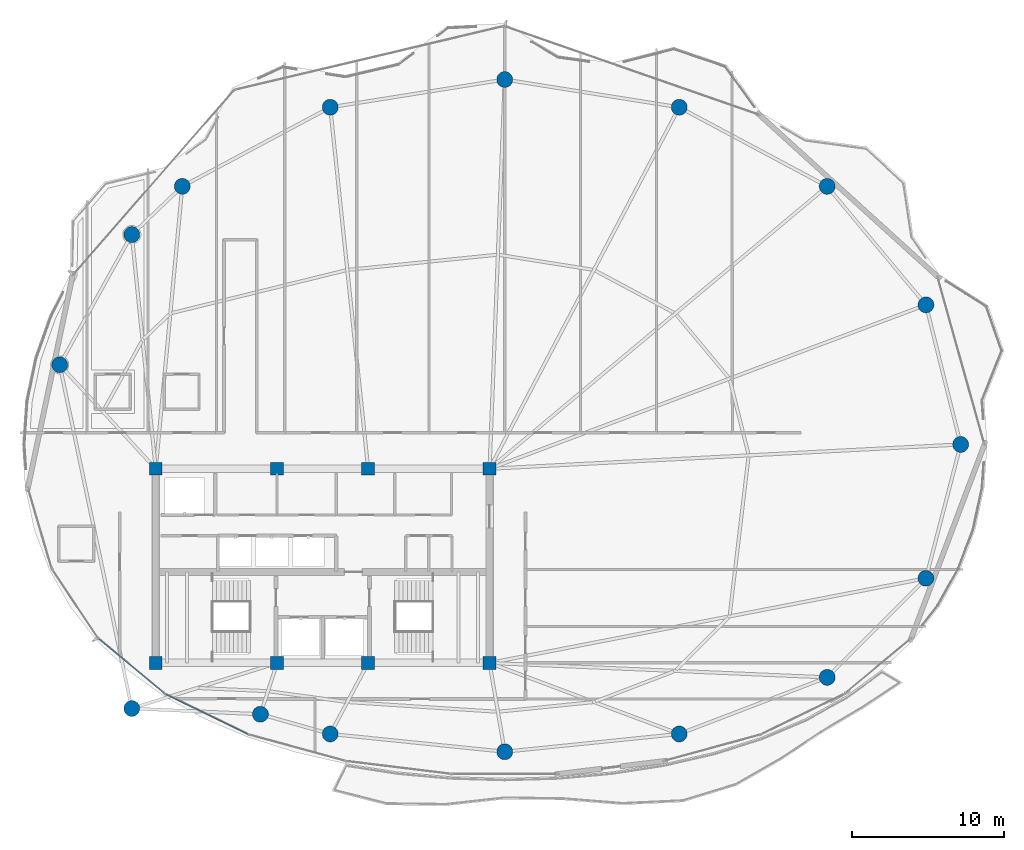
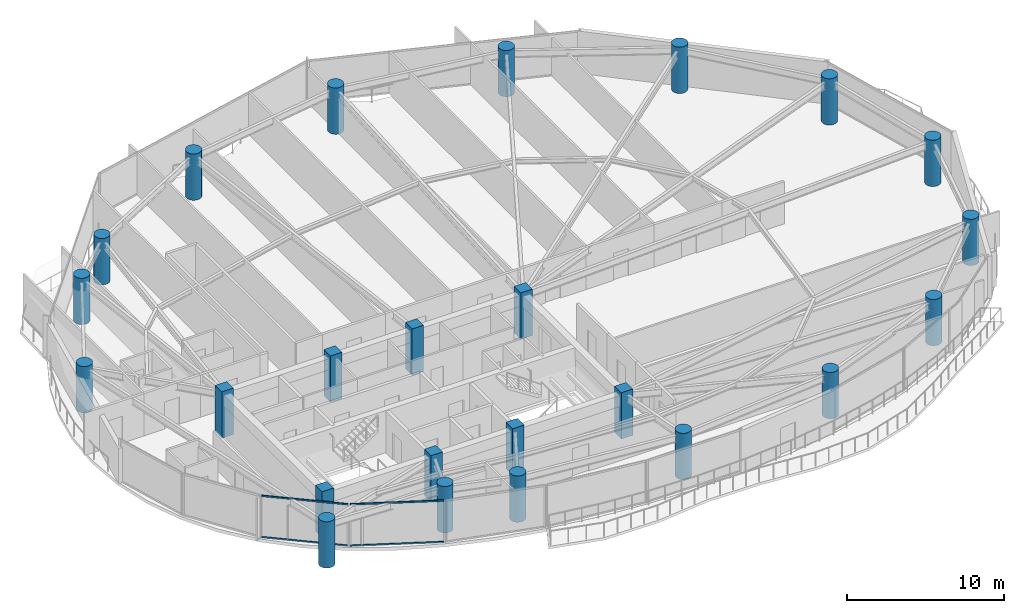
# One storey, part 1 of 29: 24 columns, 4 members, 2 elements without a shape of their own.
"""IFC4 building model written with IfcOpenShell, lengths in metres."""

from ifc_helpers import new_model, si_unit, direction, frame, origin, origin_2d, place, context, subcontext, project, spatial, rectangle, hollow_rectangle, circle, extrude, material, layer, layer_set, material_profile, profile_set, type_object, element, aggregate, save


model = new_model("IFC4")

# Units and contexts
model_context = context("Model", 3, precision=1e-05, world=origin(), true_north=direction((0.0, 1.0)))
body_context = subcontext(model_context, "Body", "Model", "MODEL_VIEW")
ifc_project = project(units=[si_unit("LENGTHUNIT", "METRE"), si_unit("AREAUNIT", "SQUARE_METRE"), si_unit("VOLUMEUNIT", "CUBIC_METRE"), si_unit("PLANEANGLEUNIT", "RADIAN"), si_unit("MASSUNIT", "GRAM", prefix="KILO")], contexts=[model_context])

# Site, building, storey
site_placement = place(None, origin())
site = spatial("IfcSite", under=ifc_project, at=site_placement, CompositionType="ELEMENT")
building_placement = place(site_placement, origin())
building = spatial("IfcBuilding", under=site, at=building_placement, Name="Kazevale Care Tower and Concert Hall", CompositionType="ELEMENT")
storey_placement = place(building_placement, frame((0.0, 0.0, 249.60009765625)))
storey = spatial("IfcBuildingStorey", under=building, at=storey_placement, Name="L66", CompositionType="ELEMENT", Elevation=249.60009765625)

# Columns
ifc_material_1 = material(Name="Concrete C50", Category="concrete")
ifc_material_profile_1 = material_profile(ifc_material_1, rectangle(XDim=0.85009765625, YDim=0.85009765625, at=origin_2d()), Name="RC-SQ850")
ifc_profile_set_1 = profile_set([ifc_material_profile_1], Name="Concrete C50")
column_type_1 = type_object("IfcColumnType", Name="Core Column SQ850 C50", PredefinedType="COLUMN", material=ifc_profile_set_1)
for number, where, z_axis, x_axis, name in (
    (1, (22.0, 23.60009765625, 0.0), (0.0, 0.0, 1.0), (1.0, 0.0, 0.0), "col:L66:CC-01"),
    (2, (30.0, 23.60009765625, 0.0), (0.0, 0.0, 1.0), (1.0, 0.0, 0.0), "col:L66:CC-02"),
    (3, (36.0, 23.60009765625, 0.0), (0.0, 0.0, 1.0), (1.0, 0.0, 0.0), "col:L66:CC-03"),
    (4, (44.0, 23.60009765625, 0.0), (0.0, 0.0, 1.0), (1.0, 0.0, 0.0), "col:L66:CC-04"),
    (5, (44.0, 36.39990234375, 0.0), (0.0, 0.0, 1.0), (1.0, 0.0, 0.0), "col:L66:CC-05"),
    (6, (36.0, 36.39990234375, 0.0), (0.0, 0.0, 1.0), (1.0, 0.0, 0.0), "col:L66:CC-06"),
    (7, (30.0, 36.39990234375, 0.0), (0.0, 0.0, 1.0), (1.0, 0.0, 0.0), "col:L66:CC-07"),
    (8, (22.0, 36.39990234375, 0.0), (0.0, 0.0, 1.0), (1.0, 0.0, 0.0), "col:L66:CC-08"),
):
    element("IfcColumn", number, at=place(storey_placement, frame(where, z_axis=z_axis, x_axis=x_axis)), inside=storey, type_object=column_type_1, Name=name, PredefinedType="COLUMN", context=body_context, shape_type="SweptSolid", body=[
        extrude(rectangle(XDim=0.85009765625, YDim=0.85009765625, at=origin_2d()), origin(), (0.0, 0.0, 1.0), 3.599853515625),
    ])
ifc_material_profile_2 = material_profile(ifc_material_1, circle(Radius=0.52490234375, at=origin_2d()), Name="RC-CIR1050")
ifc_profile_set_2 = profile_set([ifc_material_profile_2], Name="Concrete C50")
column_type_2 = type_object("IfcColumnType", Name="Perimeter Column CIR1050 C50", PredefinedType="COLUMN", material=ifc_profile_set_2)
for number, where, z_axis, x_axis, name in (
    (9, (75.050048828125, 38.0, 0.0), (0.0, 0.0, 1.0), (1.0, 0.0, 0.0), "col:L66:PC-01"),
    (10, (72.760009765625, 47.199951171875, 0.0), (0.0, 0.0, 1.0), (1.0, 0.0, 0.0), "col:L66:PC-02"),
    (11, (66.25, 55.010009765625, 0.0), (0.0, 0.0, 1.0), (1.0, 0.0, 0.0), "col:L66:PC-03"),
    (12, (56.5, 60.219970703125, 0.0), (0.0, 0.0, 1.0), (1.0, 0.0, 0.0), "col:L66:PC-04"),
    (13, (45.0, 62.050048828125, 0.0), (0.0, 0.0, 1.0), (1.0, 0.0, 0.0), "col:L66:PC-05"),
    (14, (33.5, 60.219970703125, 0.0), (0.0, 0.0, 1.0), (1.0, 0.0, 0.0), "col:L66:PC-06"),
    (15, (23.75, 55.010009765625, 0.0), (0.0, 0.0, 1.0), (1.0, 0.0, 0.0), "col:L66:PC-07"),
    (16, (20.419921875, 51.830078125, 0.0), (0.0, 0.0, 1.0), (1.0, 0.0, 0.0), "col:L66:PC-08"),
    (17, (15.669921875, 43.25, 0.0), (0.0, 0.0, 1.0), (1.0, 0.0, 0.0), "col:L66:PC-09"),
    (18, (20.419921875, 20.60009765625, 0.0), (0.0, 0.0, 1.0), (1.0, 0.0, 0.0), "col:L66:PC-10"),
    (19, (28.89990234375, 20.219970703125, 0.0), (0.0, 0.0, 1.0), (1.0, 0.0, 0.0), "col:L66:PC-11"),
    (20, (33.5, 18.919921875, 0.0), (0.0, 0.0, 1.0), (1.0, 0.0, 0.0), "col:L66:PC-12"),
    (21, (45.0, 17.75, 0.0), (0.0, 0.0, 1.0), (1.0, 0.0, 0.0), "col:L66:PC-13"),
    (22, (56.5, 18.919921875, 0.0), (0.0, 0.0, 1.0), (1.0, 0.0, 0.0), "col:L66:PC-14"),
    (23, (66.25, 22.64990234375, 0.0), (0.0, 0.0, 1.0), (1.0, 0.0, 0.0), "col:L66:PC-15"),
    (24, (72.760009765625, 29.179931640625, 0.0), (0.0, 0.0, 1.0), (1.0, 0.0, 0.0), "col:L66:PC-16"),
):
    element("IfcColumn", number, at=place(storey_placement, frame(where, z_axis=z_axis, x_axis=x_axis)), inside=storey, type_object=column_type_2, Name=name, PredefinedType="COLUMN", context=body_context, shape_type="SweptSolid", body=[
        extrude(circle(Radius=0.52490234375, at=origin_2d()), origin(), (0.0, 0.0, 1.0), 3.599853515625),
    ])

# Curtain wall, members
ifc_material_2 = material(Name="Aluminium 6063-T6 and Low-E Glass", Category="aluminium")
ifc_layer = layer(ifc_material_2, 0.179931640625)
ifc_layer_set = layer_set([ifc_layer], Name="Aluminium 6063-T6 and Low-E Glass")
curtain_wall_type = type_object("IfcCurtainWallType", Name="Sheltered Concave Balcony Curtain Wall CW-5", PredefinedType="NOTDEFINED", material=ifc_layer_set)
curtain_wall_1_placement = place(storey_placement, origin())
curtain_wall_1 = element("IfcCurtainWall", 25, at=curtain_wall_1_placement, inside=storey, type_object=curtain_wall_type, Name="cw:L66:f09", PredefinedType="NOTDEFINED")
ifc_material_3 = material(Name="Aluminium 6063-T6", Category="aluminium")
ifc_material_profile_3 = material_profile(ifc_material_3, hollow_rectangle(XDim=0.074951171875, YDim=0.1201171875, WallThickness=0.00390625, at=origin_2d()), Name="ALU75x120x4")
ifc_profile_set_3 = profile_set([ifc_material_profile_3], Name="Aluminium 6063-T6")
member_type = type_object("IfcMemberType", Name="CW-5 Transom ALU75x120x4", PredefinedType="USERDEFINED", material=ifc_profile_set_3)
member_1_placement = place(storey_placement, frame((28.07666015625, 18.90576171875, 0.037353515625), z_axis=(-0.899342308406, 0.437245254189, 0.0), x_axis=(-0.437245254189, -0.899342308406, 0.0)))
member_1 = element("IfcMember", 26, at=member_1_placement, type_object=member_type, Name="CW-5 transom 1.1", ObjectType="TRANSOM", PredefinedType="USERDEFINED", context=body_context, shape_type="SweptSolid", body=[
    extrude(hollow_rectangle(XDim=0.074951171875, YDim=0.1201171875, WallThickness=0.00390625, at=origin_2d()), origin(), (0.0, 0.0, 1.0), 6.00244140625),
])
member_2_placement = place(storey_placement, frame((28.07666015625, 18.90576171875, 3.242431640625), z_axis=(-0.899342308406, 0.437245254189, 0.0), x_axis=(-0.437245254189, -0.899342308406, 0.0)))
member_2 = element("IfcMember", 27, at=member_2_placement, type_object=member_type, Name="CW-5 transom 1.2", ObjectType="TRANSOM", PredefinedType="USERDEFINED", context=body_context, shape_type="SweptSolid", body=[
    extrude(hollow_rectangle(XDim=0.074951171875, YDim=0.1201171875, WallThickness=0.00390625, at=origin_2d()), origin(), (0.0, 0.0, 1.0), 6.00244140625),
])
aggregate(curtain_wall_1, [member_1, member_2])

curtain_wall_2_placement = place(storey_placement, origin())
curtain_wall_2 = element("IfcCurtainWall", 28, at=curtain_wall_2_placement, inside=storey, type_object=curtain_wall_type, Name="cw:L66:f10", PredefinedType="NOTDEFINED")
member_3_placement = place(storey_placement, frame((22.553466796875, 21.611083984375, 0.037353515625), z_axis=(-0.768432829708, 0.639930454211, 0.0), x_axis=(-0.639930454211, -0.768432829708, 0.0)))
member_3 = element("IfcMember", 29, at=member_3_placement, type_object=member_type, Name="CW-5 transom 1.1", ObjectType="TRANSOM", PredefinedType="USERDEFINED", context=body_context, shape_type="SweptSolid", body=[
    extrude(hollow_rectangle(XDim=0.074951171875, YDim=0.1201171875, WallThickness=0.00390625, at=origin_2d()), origin(), (0.0, 0.0, 1.0), 5.580078125),
])
member_4_placement = place(storey_placement, frame((22.553466796875, 21.611083984375, 3.242431640625), z_axis=(-0.768432829708, 0.639930454211, 0.0), x_axis=(-0.639930454211, -0.768432829708, 0.0)))
member_4 = element("IfcMember", 30, at=member_4_placement, type_object=member_type, Name="CW-5 transom 1.2", ObjectType="TRANSOM", PredefinedType="USERDEFINED", context=body_context, shape_type="SweptSolid", body=[
    extrude(hollow_rectangle(XDim=0.074951171875, YDim=0.1201171875, WallThickness=0.00390625, at=origin_2d()), origin(), (0.0, 0.0, 1.0), 5.580078125),
])
aggregate(curtain_wall_2, [member_3, member_4])

save(model, "model.ifc")
